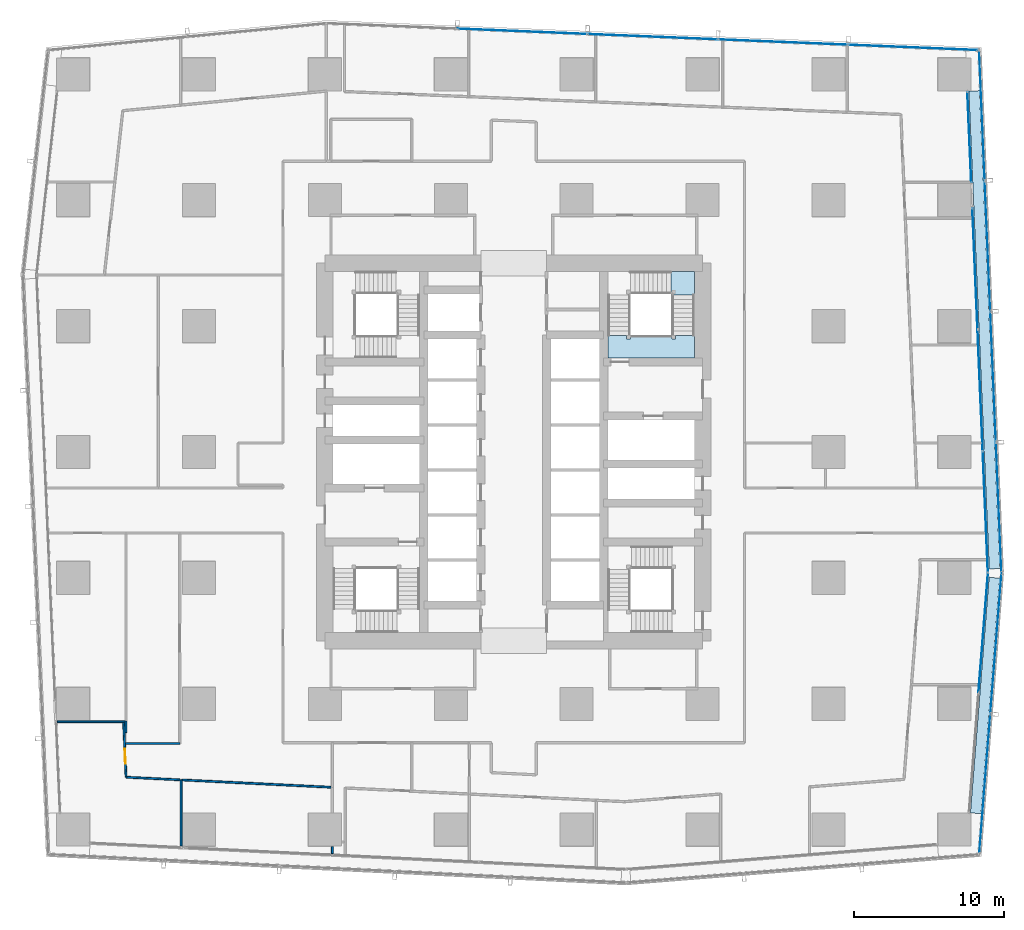
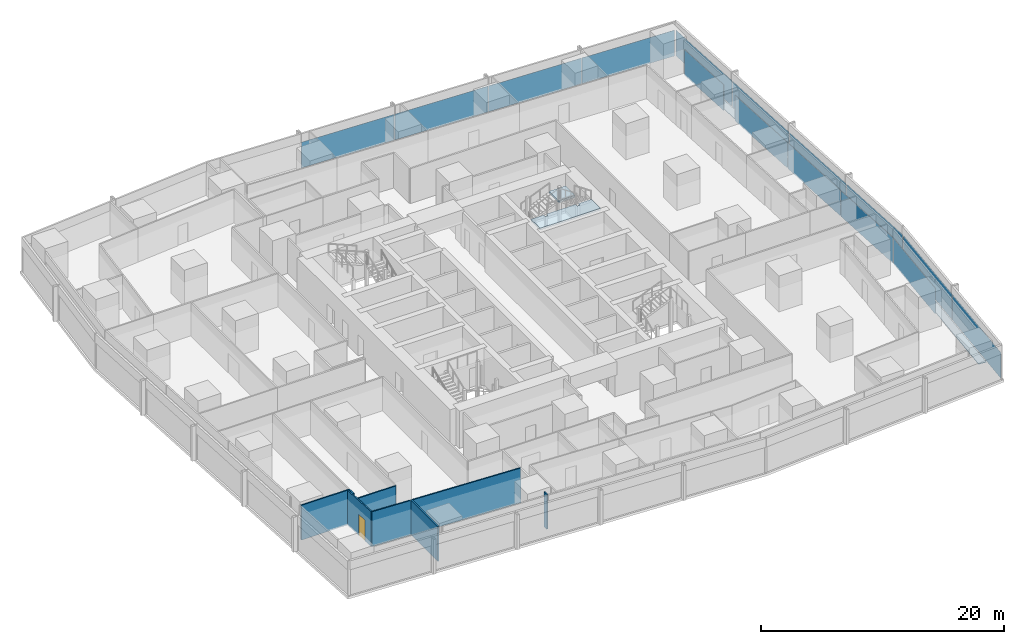
# One storey, part 31 of 45: 17 plates, 8 walls, 2 slabs, 1 door, 1 opening, 7 elements without a shape of their own.
"""IFC4 building model written with IfcOpenShell, lengths in metres."""

from ifc_helpers import new_model, si_unit, direction, frame, frame_2d, origin, origin_2d, place, context, subcontext, project, spatial, polyline, rectangle, outline, extrude, material, layer, layer_set, type_object, element, fill, aggregate, save


model = new_model("IFC4")

# Units and contexts
model_context = context("Model", 3, precision=1e-05, world=origin(), true_north=direction((0.0, 1.0)))
body_context = subcontext(model_context, "Body", "Model", "MODEL_VIEW")
ifc_project = project(units=[si_unit("LENGTHUNIT", "METRE"), si_unit("AREAUNIT", "SQUARE_METRE"), si_unit("VOLUMEUNIT", "CUBIC_METRE"), si_unit("PLANEANGLEUNIT", "RADIAN"), si_unit("MASSUNIT", "GRAM", prefix="KILO")], contexts=[model_context])

# Site, building, storey
site_placement = place(None, origin())
site = spatial("IfcSite", under=ifc_project, at=site_placement, CompositionType="ELEMENT")
building_placement = place(site_placement, origin())
building = spatial("IfcBuilding", under=site, at=building_placement, Name="Rekha Terrace Tower", CompositionType="ELEMENT")
storey_placement = place(building_placement, frame((0.0, 0.0, 36.64990234375)))
storey = spatial("IfcBuildingStorey", under=building, at=storey_placement, Name="L08", CompositionType="ELEMENT", Elevation=36.64990234375)

# Curtain wall, plate
ifc_material_1 = material(Name="Aluminium framing", Category="aluminium")
curtain_wall_type_1 = type_object("IfcCurtainWallType", Name="CW1 double skin inner glazing", PredefinedType="USERDEFINED", material=ifc_material_1)
curtain_wall_1_placement = place(storey_placement, origin())
curtain_wall_1 = element("IfcCurtainWall", 1, at=curtain_wall_1_placement, inside=storey, type_object=curtain_wall_type_1, Name="CW1 double skin inner glazing", ObjectType="DOUBLE SKIN INNER GLAZING", PredefinedType="USERDEFINED")
ifc_material_2 = material(Name="Double-glazed low-e unit 32", Category="glass")
ifc_layer_1 = layer(ifc_material_2, 0.031982421875)
ifc_layer_set_1 = layer_set([ifc_layer_1], Name="Double-glazed low-e unit 32")
plate_type_1 = type_object("IfcPlateType", Name="CW1 jumbo vision panel, double-glazed low-e unit 32", PredefinedType="CURTAIN_PANEL", material=ifc_layer_set_1)
plate_1_placement = place(storey_placement, frame((69.1220703125, 21.53759765625, 0.0), z_axis=(0.0, 0.0, 1.0), x_axis=(0.079116301, 0.996865392576, 0.0)))
plate_1 = element("IfcPlate", 2, at=plate_1_placement, type_object=plate_type_1, Name="CW1 panel 2.1", PredefinedType="CURTAIN_PANEL", context=body_context, shape_type="SweptSolid", body=[
    extrude(rectangle(XDim=7.988525390625, YDim=0.031982421875, at=origin_2d()), origin(), (0.0, 0.0, 1.0), 2.60009765625),
])
aggregate(curtain_wall_1, [plate_1])

# Curtain wall, plates
curtain_wall_2_placement = place(storey_placement, origin())
curtain_wall_2 = element("IfcCurtainWall", 3, at=curtain_wall_2_placement, inside=storey, type_object=curtain_wall_type_1, Name="CW1 double skin inner glazing", ObjectType="DOUBLE SKIN INNER GLAZING", PredefinedType="USERDEFINED")
plate_2_placement = place(storey_placement, frame((69.263671875, 29.60107421875, 0.0), z_axis=(0.0, 0.0, 1.0), x_axis=(-0.042696072921, 0.999088106904, 0.0)))
plate_2 = element("IfcPlate", 4, at=plate_2_placement, type_object=plate_type_1, Name="CW1 panel 1.1", PredefinedType="CURTAIN_PANEL", context=body_context, shape_type="SweptSolid", body=[
    extrude(rectangle(XDim=8.041015625, YDim=0.031982421875, at=origin_2d()), origin(), (0.0, 0.0, 1.0), 2.60009765625),
])
plate_3_placement = place(storey_placement, frame((68.9169921875, 37.7158203125, 0.0), z_axis=(0.0, 0.0, 1.0), x_axis=(-0.042696072921, 0.999088106904, 0.0)))
plate_3 = element("IfcPlate", 5, at=plate_3_placement, type_object=plate_type_1, Name="CW1 panel 2.1", PredefinedType="CURTAIN_PANEL", context=body_context, shape_type="SweptSolid", body=[
    extrude(rectangle(XDim=8.073486328125, YDim=0.031982421875, at=origin_2d()), origin(), (0.0, 0.0, 1.0), 2.60009765625),
])
plate_4_placement = place(storey_placement, frame((68.5703125, 45.83056640625, 0.0), z_axis=(0.0, 0.0, 1.0), x_axis=(-0.042696072921, 0.999088106904, 0.0)))
plate_4 = element("IfcPlate", 6, at=plate_4_placement, type_object=plate_type_1, Name="CW1 panel 3.1", PredefinedType="CURTAIN_PANEL", context=body_context, shape_type="SweptSolid", body=[
    extrude(rectangle(XDim=8.041015625, YDim=0.031982421875, at=origin_2d()), origin(), (0.0, 0.0, 1.0), 2.60009765625),
])
aggregate(curtain_wall_2, [plate_2, plate_3, plate_4])

# Curtain wall, plate
curtain_wall_3_placement = place(storey_placement, origin())
curtain_wall_3 = element("IfcCurtainWall", 7, at=curtain_wall_3_placement, inside=storey, type_object=curtain_wall_type_1, Name="CW1 double skin inner glazing", ObjectType="DOUBLE SKIN INNER GLAZING", PredefinedType="USERDEFINED")
plate_5_placement = place(storey_placement, frame((68.195556640625, 54.60009765625, 0.0), z_axis=(0.0, 0.0, 1.0), x_axis=(-0.042696073026, 0.9990881069, 0.0)))
plate_5 = element("IfcPlate", 8, at=plate_5_placement, type_object=plate_type_1, Name="CW1 panel 1.1", PredefinedType="CURTAIN_PANEL", context=body_context, shape_type="SweptSolid", body=[
    extrude(rectangle(XDim=6.027587890625, YDim=0.031982421875, at=origin_2d()), origin(), (0.0, 0.0, 1.0), 2.60009765625),
])
aggregate(curtain_wall_3, [plate_5])

# Curtain wall, plates
curtain_wall_type_2 = type_object("IfcCurtainWallType", Name="CW2 double skin outer glazing", PredefinedType="USERDEFINED", material=ifc_material_1)
curtain_wall_4_placement = place(storey_placement, origin())
curtain_wall_4 = element("IfcCurtainWall", 9, at=curtain_wall_4_placement, inside=storey, type_object=curtain_wall_type_2, Name="CW2 double skin outer glazing", ObjectType="DOUBLE SKIN OUTER GLAZING", PredefinedType="USERDEFINED")
ifc_material_3 = material(Name="Toughened single glazing 12", Category="glass")
ifc_layer_2 = layer(ifc_material_3, 0.011962890625)
ifc_layer_set_2 = layer_set([ifc_layer_2], Name="Toughened single glazing 12")
plate_type_2 = type_object("IfcPlateType", Name="CW2 jumbo vision panel, toughened single glazing 12", PredefinedType="CURTAIN_PANEL", material=ifc_layer_set_2)
plate_6_placement = place(storey_placement, frame((69.22509765625, 11.45703125, 0.0), z_axis=(0.0, 0.0, 1.0), x_axis=(0.079116301017, 0.996865392575, 0.0)))
plate_6 = element("IfcPlate", 10, at=plate_6_placement, type_object=plate_type_2, Name="CW2 panel 1.1", PredefinedType="CURTAIN_PANEL", context=body_context, shape_type="SweptSolid", body=[
    extrude(rectangle(XDim=9.28662109375, YDim=0.011962890625, at=origin_2d()), origin(), (0.0, 0.0, 1.0), 2.60009765625),
])
plate_7_placement = place(storey_placement, frame((69.96923828125, 20.834228515625, 0.0), z_axis=(0.0, 0.0, 1.0), x_axis=(0.079116301017, 0.996865392575, 0.0)))
plate_7 = element("IfcPlate", 11, at=plate_7_placement, type_object=plate_type_2, Name="CW2 panel 2.1", PredefinedType="CURTAIN_PANEL", context=body_context, shape_type="SweptSolid", body=[
    extrude(rectangle(XDim=9.36669921875, YDim=0.011962890625, at=origin_2d()), origin(), (0.0, 0.0, 1.0), 2.60009765625),
])
aggregate(curtain_wall_4, [plate_6, plate_7])

curtain_wall_5_placement = place(storey_placement, origin())
curtain_wall_5 = element("IfcCurtainWall", 12, at=curtain_wall_5_placement, inside=storey, type_object=curtain_wall_type_2, Name="CW2 double skin outer glazing", ObjectType="DOUBLE SKIN OUTER GLAZING", PredefinedType="USERDEFINED")
plate_8_placement = place(storey_placement, frame((70.152099609375, 29.890869140625, 0.0), z_axis=(0.0, 0.0, 1.0), x_axis=(-0.042696072956, 0.999088106903, 0.0)))
plate_8 = element("IfcPlate", 13, at=plate_8_placement, type_object=plate_type_2, Name="CW2 panel 1.1", PredefinedType="CURTAIN_PANEL", context=body_context, shape_type="SweptSolid", body=[
    extrude(rectangle(XDim=8.623779296875, YDim=0.011962890625, at=origin_2d()), origin(), (0.0, 0.0, 1.0), 2.60009765625),
])
plate_9_placement = place(storey_placement, frame((69.77978515625, 38.606689453125, 0.0), z_axis=(0.0, 0.0, 1.0), x_axis=(-0.042696072956, 0.999088106903, 0.0)))
plate_9 = element("IfcPlate", 14, at=plate_9_placement, type_object=plate_type_2, Name="CW2 panel 2.1", PredefinedType="CURTAIN_PANEL", context=body_context, shape_type="SweptSolid", body=[
    extrude(rectangle(XDim=8.663818359375, YDim=0.011962890625, at=origin_2d()), origin(), (0.0, 0.0, 1.0), 2.60009765625),
])
plate_10_placement = place(storey_placement, frame((69.406494140625, 47.342529296875, 0.0), z_axis=(0.0, 0.0, 1.0), x_axis=(-0.042696072956, 0.999088106903, 0.0)))
plate_10 = element("IfcPlate", 15, at=plate_10_placement, type_object=plate_type_2, Name="CW2 panel 3.1", PredefinedType="CURTAIN_PANEL", context=body_context, shape_type="SweptSolid", body=[
    extrude(rectangle(XDim=8.663818359375, YDim=0.011962890625, at=origin_2d()), origin(), (0.0, 0.0, 1.0), 2.60009765625),
])
plate_11_placement = place(storey_placement, frame((69.033935546875, 56.058349609375, 0.0), z_axis=(0.0, 0.0, 1.0), x_axis=(-0.042696072956, 0.999088106903, 0.0)))
plate_11 = element("IfcPlate", 16, at=plate_11_placement, type_object=plate_type_2, Name="CW2 panel 4.1", PredefinedType="CURTAIN_PANEL", context=body_context, shape_type="SweptSolid", body=[
    extrude(rectangle(XDim=8.623779296875, YDim=0.011962890625, at=origin_2d()), origin(), (0.0, 0.0, 1.0), 2.60009765625),
])
aggregate(curtain_wall_5, [plate_8, plate_9, plate_10, plate_11])

curtain_wall_type_3 = type_object("IfcCurtainWallType", Name="CW3 north unitised glazing", PredefinedType="USERDEFINED", material=ifc_material_1)
curtain_wall_6_placement = place(storey_placement, origin())
curtain_wall_6 = element("IfcCurtainWall", 17, at=curtain_wall_6_placement, inside=storey, type_object=curtain_wall_type_3, Name="CW3 unitised curtain wall", ObjectType="UNITISED CURTAIN WALL", PredefinedType="USERDEFINED")
ifc_material_4 = material(Name="Double-glazed unit 28", Category="glass")
ifc_layer_3 = layer(ifc_material_4, 0.028076171875)
ifc_layer_set_3 = layer_set([ifc_layer_3], Name="Double-glazed unit 28")
plate_type_3 = type_object("IfcPlateType", Name="CW3 jumbo vision panel, double-glazed unit 28", PredefinedType="CURTAIN_PANEL", material=ifc_layer_set_3)
plate_12_placement = place(storey_placement, frame((64.4423828125, 60.587646484375, 0.0), z_axis=(0.0, 0.0, 1.0), x_axis=(-0.999151997647, 0.041173846041, 0.0)))
plate_12 = element("IfcPlate", 18, at=plate_12_placement, type_object=plate_type_3, Name="CW3 panel 1.1", PredefinedType="CURTAIN_PANEL", context=body_context, shape_type="SweptSolid", body=[
    extrude(rectangle(XDim=8.598876953125, YDim=0.028076171875, at=origin_2d()), origin(), (0.0, 0.0, 1.0), 2.60009765625),
])
plate_13_placement = place(storey_placement, frame((55.76318359375, 60.9453125, 0.0), z_axis=(0.0, 0.0, 1.0), x_axis=(-0.999151997647, 0.041173846041, 0.0)))
plate_13 = element("IfcPlate", 19, at=plate_13_placement, type_object=plate_type_3, Name="CW3 panel 2.1", PredefinedType="CURTAIN_PANEL", context=body_context, shape_type="SweptSolid", body=[
    extrude(rectangle(XDim=8.6337890625, YDim=0.028076171875, at=origin_2d()), origin(), (0.0, 0.0, 1.0), 2.60009765625),
])
plate_14_placement = place(storey_placement, frame((47.066650390625, 61.3037109375, 0.0), z_axis=(0.0, 0.0, 1.0), x_axis=(-0.999151997647, 0.041173846041, 0.0)))
plate_14 = element("IfcPlate", 20, at=plate_14_placement, type_object=plate_type_3, Name="CW3 panel 3.1", PredefinedType="CURTAIN_PANEL", context=body_context, shape_type="SweptSolid", body=[
    extrude(rectangle(XDim=8.6337890625, YDim=0.028076171875, at=origin_2d()), origin(), (0.0, 0.0, 1.0), 2.60009765625),
])
plate_15_placement = place(storey_placement, frame((38.370361328125, 61.662109375, 0.0), z_axis=(0.0, 0.0, 1.0), x_axis=(-0.999151997647, 0.041173846041, 0.0)))
plate_15 = element("IfcPlate", 21, at=plate_15_placement, type_object=plate_type_3, Name="CW3 panel 4.1", PredefinedType="CURTAIN_PANEL", context=body_context, shape_type="SweptSolid", body=[
    extrude(rectangle(XDim=8.6337890625, YDim=0.028076171875, at=origin_2d()), origin(), (0.0, 0.0, 1.0), 2.60009765625),
])
aggregate(curtain_wall_6, [plate_12, plate_13, plate_14, plate_15])

# Plates
ifc_material_5 = material(Name="Galvanised steel open grating", Category="steel")
ifc_layer_4 = layer(ifc_material_5, 0.050048828125)
ifc_layer_set_4 = layer_set([ifc_layer_4], Name="Galvanised steel open grating")
plate_type_4 = type_object("IfcPlateType", Name="GT1 cavity walkway grating 50", PredefinedType="USERDEFINED", material=ifc_layer_set_4)
plate_16_placement = place(storey_placement, frame((69.241455078125, 17.353515625, 0.0), z_axis=(0.0, 0.0, 1.0), x_axis=(0.079116301, 0.996865392576, 0.0)))
element("IfcPlate", 22, at=plate_16_placement, inside=storey, type_object=plate_type_4, Name="Cavity walkway grating", ObjectType="CAVITY WALKWAY GRATING", PredefinedType="USERDEFINED", context=body_context, shape_type="SweptSolid", body=[
    extrude(rectangle(XDim=15.7666015625, YDim=0.705078125, at=origin_2d()), origin(), (0.0, 0.0, 1.0), 0.050048828125),
])
plate_17_placement = place(storey_placement, frame((69.195068359375, 41.75, 0.0), z_axis=(0.0, 0.0, 1.0), x_axis=(-0.042696072939, 0.999088106903, 0.0)))
element("IfcPlate", 23, at=plate_17_placement, inside=storey, type_object=plate_type_4, Name="Cavity walkway grating", ObjectType="CAVITY WALKWAY GRATING", PredefinedType="USERDEFINED", context=body_context, shape_type="SweptSolid", body=[
    extrude(rectangle(XDim=31.9072265625, YDim=0.705078125, at=origin_2d()), origin(), (0.0, 0.0, 1.0), 0.050048828125),
])

# Stair, slabs
ifc_material_6 = material(Name="Concrete M40", Category="concrete")
stair_type = type_object("IfcStairType", Name="ST30 stair, 30 risers of 125, going 300, 1500 wide flights, 3 flights", PredefinedType="HALF_TURN_STAIR", material=ifc_material_6)
stair_placement = place(storey_placement, origin())
stair = element("IfcStair", 24, at=stair_placement, inside=storey, type_object=stair_type, Name="Stair ST2 L08 to L09", PredefinedType="HALF_TURN_STAIR")
ifc_layer_5 = layer(ifc_material_6, 0.199951171875)
ifc_layer_set_5 = layer_set([ifc_layer_5], Name="Concrete M40")
slab_type = type_object("IfcSlabType", Name="LD1 200 concrete stair landing", PredefinedType="LANDING", material=ifc_layer_set_5)
slab_1_placement = place(storey_placement, frame((0.0, 0.0, 2.300048828125)))
slab_1 = element("IfcSlab", 25, at=slab_1_placement, type_object=slab_type, Name="ST2 landing 2", PredefinedType="LANDING", context=body_context, shape_type="SweptSolid", body=[
    extrude(outline(polyline([(48.35009765625, 44.074951171875), (49.85009765625, 44.074951171875), (49.85009765625, 45.64990234375), (48.27490234375, 45.64990234375), (48.27490234375, 44.14990234375), (48.35009765625, 44.14990234375), (48.35009765625, 44.074951171875)])), origin(), (0.0, 0.0, 1.0), 0.199951171875),
])
slab_2_placement = place(storey_placement, frame((0.0, 0.0, 3.550048828125)))
slab_2 = element("IfcSlab", 26, at=slab_2_placement, type_object=slab_type, Name="ST2 landing 3", PredefinedType="LANDING", context=body_context, shape_type="SweptSolid", body=[
    extrude(outline(polyline([(44.074951171875, 41.375), (44.074951171875, 39.875), (49.85009765625, 39.875), (49.85009765625, 41.375), (48.60009765625, 41.375), (48.60009765625, 41.125), (48.35009765625, 41.125), (48.35009765625, 41.375), (45.574951171875, 41.375), (45.574951171875, 41.125), (45.324951171875, 41.125), (45.324951171875, 41.375), (44.074951171875, 41.375)])), origin(), (0.0, 0.0, 1.0), 0.199951171875),
])
aggregate(stair, [slab_1, slab_2])

# Walls
ifc_material_7 = material(Name="Two layers of fire-rated gypsum board each side on steel studs, acoustic quilt, 1 hour", Category="steel")
ifc_layer_6 = layer(ifc_material_7, 0.125)
ifc_layer_set_6 = layer_set([ifc_layer_6], Name="Two layers of fire-rated gypsum board each side on steel studs, acoustic quilt, 1 hour")
wall_type = type_object("IfcWallType", Name="WP3 125 office partition", PredefinedType="PARTITIONING", material=ifc_layer_set_6)
wall_1_placement = place(storey_placement, frame((15.64306640625, 11.721923828125, 0.0), z_axis=(0.0, 0.0, 1.0), x_axis=(0.998800316201, -0.048968646667, 0.0)))
element("IfcWall", 27, at=wall_1_placement, inside=storey, type_object=wall_type, Name="Partition L08-07", PredefinedType="PARTITIONING", context=body_context, shape_type="SweptSolid", body=[
    extrude(rectangle(XDim=10.06591796875, YDim=0.125, at=frame_2d((5.032958984375, 0.0))), origin(), (0.0, 0.0, 1.0), 3.5),
])
wall_2_placement = place(storey_placement, frame((25.696044921875, 7.280029296875, 0.0), z_axis=(0.0, 0.0, 1.0), x_axis=(0.0, -1.0, 0.0)))
element("IfcWall", 28, at=wall_2_placement, inside=storey, type_object=wall_type, Name="Partition L08-07", PredefinedType="PARTITIONING", context=body_context, shape_type="SweptSolid", body=[
    extrude(rectangle(XDim=0.47705078125, YDim=0.125, at=frame_2d((0.238525390625, 0.0))), origin(), (0.0, 0.0, 1.0), 3.5),
])
wall_3_placement = place(storey_placement, frame((15.60791015625, 7.299072265625, 0.0), z_axis=(0.0, 0.0, 1.0), x_axis=(0.0, 1.0, 0.0)))
element("IfcWall", 29, at=wall_3_placement, inside=storey, type_object=wall_type, Name="Partition L08-07", PredefinedType="PARTITIONING", context=body_context, shape_type="SweptSolid", body=[
    extrude(rectangle(XDim=4.4228515625, YDim=0.125, at=frame_2d((2.21142578125, 0.0))), origin(), (0.0, 0.0, 1.0), 3.5),
])
wall_4_placement = place(storey_placement, frame((11.87109375, 15.60791015625, 0.0), z_axis=(0.0, 0.0, 1.0), x_axis=(-1.0, 0.0, 0.0)))
element("IfcWall", 30, at=wall_4_placement, inside=storey, type_object=wall_type, Name="Partition L08-22", PredefinedType="PARTITIONING", context=body_context, shape_type="SweptSolid", body=[
    extrude(rectangle(XDim=4.524169921875, YDim=0.125, at=frame_2d((2.26220703125, 0.0))), origin(), (0.0, 0.0, 1.0), 3.5),
])

# Wall, opening, door
wall_5_placement = place(storey_placement, frame((11.77392578125, 15.5458984375, 0.0), z_axis=(0.0, 0.0, 1.0), x_axis=(0.043934208205, -0.999034426509, 0.0)))
wall_5 = element("IfcWall", 31, at=wall_5_placement, inside=storey, type_object=wall_type, Name="Partition L08-23", PredefinedType="PARTITIONING", context=body_context, shape_type="SweptSolid", body=[
    extrude(rectangle(XDim=3.645263671875, YDim=0.125, at=frame_2d((1.82275390625, 0.0))), origin(), (0.0, 0.0, 1.0), 3.5),
])
opening_placement = place(wall_5_placement, frame((1.7490234375, 0.0, 0.0)))
opening = element("IfcOpeningElement", 32, at=opening_placement, cuts=wall_5, Name="Opening D9", PredefinedType="OPENING", context=body_context, shape_type="SweptSolid", body=[
    extrude(rectangle(XDim=1.0, YDim=2.10009765625, at=frame_2d((0.5, 1.050048828125))), frame((0.0, 0.072509765625, 0.0), z_axis=(0.0, -1.0, 0.0), x_axis=(1.0, 0.0, 0.0)), (0.0, 0.0, 1.0), 0.14501953125),
])
ifc_material_8 = material(Name="Timber fire door", Category="wood")
door_type = type_object("IfcDoorType", Name="D9 1000x2100 office door", OperationType="SINGLE_SWING_LEFT", PredefinedType="DOOR", material=ifc_material_8)
door_placement = place(opening_placement, origin())
door = element("IfcDoor", 33, at=door_placement, inside=storey, type_object=door_type, Name="Door manager's office L08", OperationType="SINGLE_SWING_LEFT", OverallHeight=2.10009765625, OverallWidth=1.0, PredefinedType="DOOR", context=body_context, shape_type="SweptSolid", body=[
    extrude(rectangle(XDim=1.0, YDim=2.10009765625, at=frame_2d((0.5, 1.050048828125))), frame((0.0, 0.02490234375, 0.0), z_axis=(0.0, -1.0, 0.0), x_axis=(1.0, 0.0, 0.0)), (0.0, 0.0, 1.0), 0.050048828125),
])
fill(opening, door)

# Walls
wall_6_placement = place(storey_placement, frame((11.93408203125, 11.904052734375, 0.0), z_axis=(0.0, 0.0, 1.0), x_axis=(0.998799983391, -0.048975434441, 0.0)))
element("IfcWall", 34, at=wall_6_placement, inside=storey, type_object=wall_type, Name="Partition L08-23", PredefinedType="PARTITIONING", context=body_context, shape_type="SweptSolid", body=[
    extrude(rectangle(XDim=3.59423828125, YDim=0.125, at=frame_2d((1.797119140625, 0.0))), origin(), (0.0, 0.0, 1.0), 3.5),
])
wall_7_placement = place(storey_placement, frame((15.52392578125, 14.14990234375, 0.0), z_axis=(0.0, 0.0, 1.0), x_axis=(-1.0, 0.0, 0.0)))
element("IfcWall", 35, at=wall_7_placement, inside=storey, type_object=wall_type, Name="Partition L08-24", PredefinedType="PARTITIONING", context=body_context, shape_type="SweptSolid", body=[
    extrude(rectangle(XDim=3.6259765625, YDim=0.125, at=frame_2d((1.81298828125, 0.0))), origin(), (0.0, 0.0, 1.0), 3.5),
])
wall_8_placement = place(storey_placement, frame((11.93408203125, 14.87109375, 0.0), z_axis=(0.0, 0.0, 1.0), x_axis=(0.0, 1.0, 0.0)))
element("IfcWall", 36, at=wall_8_placement, inside=storey, type_object=wall_type, Name="Partition L08-24", PredefinedType="PARTITIONING", context=body_context, shape_type="SweptSolid", body=[
    extrude(rectangle(XDim=0.77197265625, YDim=0.125, at=frame_2d((0.385986328125, 0.0))), origin(), (0.0, 0.0, 1.0), 3.5),
])

save(model, "model.ifc")
